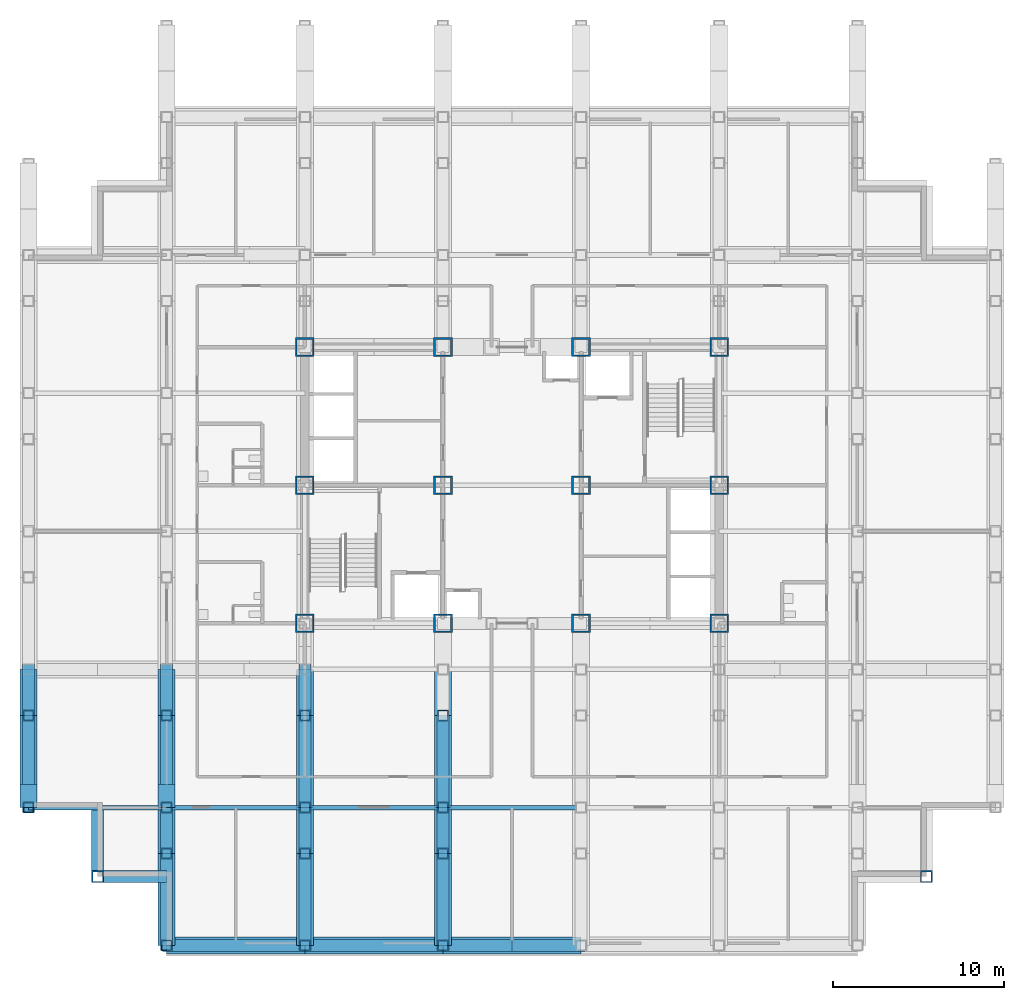
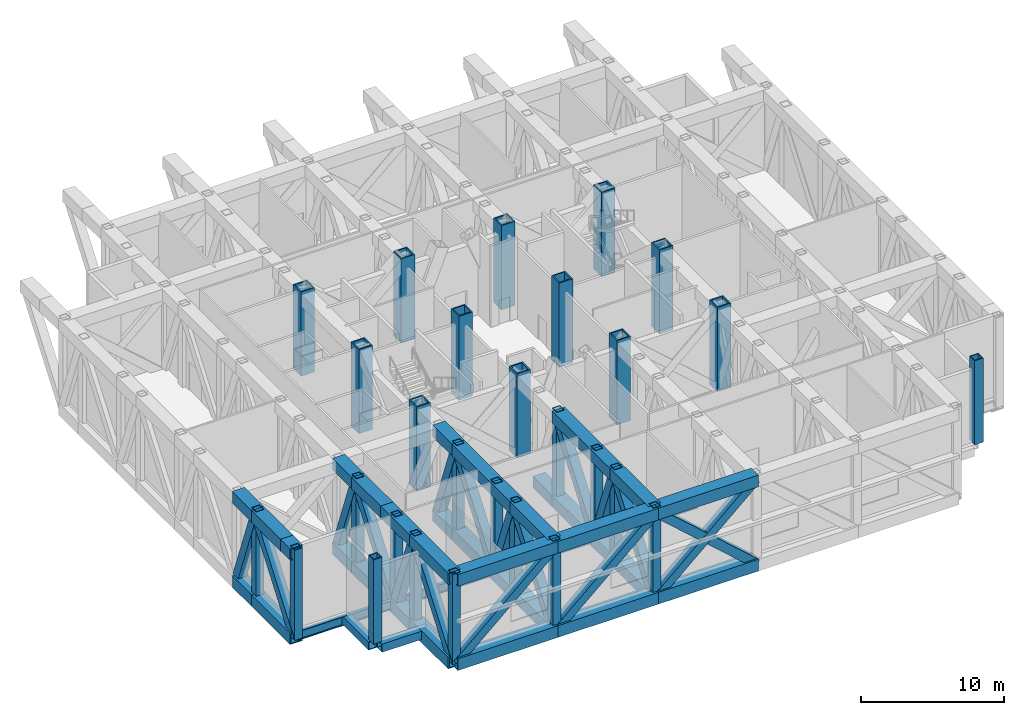
# One storey, part 1 of 13: 66 members, 14 columns, 6 beams.
"""IFC4 building model written with IfcOpenShell, lengths in metres."""

from ifc_helpers import new_model, si_unit, direction, frame, origin, origin_2d, place, context, subcontext, project, spatial, hollow_rectangle, i_section, extrude, material, material_profile, profile_set, type_object, element, save


model = new_model("IFC4")

# Units and contexts
model_context = context("Model", 3, precision=1e-05, world=origin(), true_north=direction((0.0, 1.0)))
body_context = subcontext(model_context, "Body", "Model", "MODEL_VIEW")
ifc_project = project(units=[si_unit("LENGTHUNIT", "METRE"), si_unit("AREAUNIT", "SQUARE_METRE"), si_unit("VOLUMEUNIT", "CUBIC_METRE"), si_unit("PLANEANGLEUNIT", "RADIAN"), si_unit("MASSUNIT", "GRAM", prefix="KILO")], contexts=[model_context])

# Site, building, storey
site_placement = place(None, origin())
site = spatial("IfcSite", under=ifc_project, at=site_placement, CompositionType="ELEMENT")
building_placement = place(site_placement, origin())
building = spatial("IfcBuilding", under=site, at=building_placement, Name="Kopane Lantern Tower", CompositionType="ELEMENT")
storey_placement = place(building_placement, frame((0.0, 0.0, 157.800048828125)))
storey = spatial("IfcBuildingStorey", under=building, at=storey_placement, Name="L41", CompositionType="ELEMENT", Elevation=157.800048828125)

# Columns
ifc_material_1 = material(Name="Steel S355JR", Category="steel")
ifc_material_profile_1 = material_profile(ifc_material_1, hollow_rectangle(XDim=1.10009765625, YDim=1.10009765625, WallThickness=0.10009765625, at=origin_2d()), Name="BOX 1100x1100x100")
ifc_profile_set_1 = profile_set([ifc_material_profile_1], Name="Steel S355JR")
column_type_1 = type_object("IfcColumnType", Name="COLUMN BOX 1100x1100x100", PredefinedType="COLUMN", material=ifc_profile_set_1)
for number, where, z_axis, x_axis, name in (
    (1, (16.199951171875, 24.300048828125, 0.0), (0.0, 0.0, 1.0), (1.0, 0.0, 0.0), "Column 4/E L41"),
    (2, (16.199951171875, 32.39990234375, 0.0), (0.0, 0.0, 1.0), (1.0, 0.0, 0.0), "Column 4/F L41"),
    (3, (16.199951171875, 40.5, 0.0), (0.0, 0.0, 1.0), (1.0, 0.0, 0.0), "Column 4/G L41"),
    (4, (24.300048828125, 24.300048828125, 0.0), (0.0, 0.0, 1.0), (1.0, 0.0, 0.0), "Column 5/E L41"),
    (5, (24.300048828125, 32.39990234375, 0.0), (0.0, 0.0, 1.0), (1.0, 0.0, 0.0), "Column 5/F L41"),
    (6, (24.300048828125, 40.5, 0.0), (0.0, 0.0, 1.0), (1.0, 0.0, 0.0), "Column 5/G L41"),
    (7, (32.39990234375, 24.300048828125, 0.0), (0.0, 0.0, 1.0), (1.0, 0.0, 0.0), "Column 6/E L41"),
    (8, (32.39990234375, 32.39990234375, 0.0), (0.0, 0.0, 1.0), (1.0, 0.0, 0.0), "Column 6/F L41"),
    (9, (32.39990234375, 40.5, 0.0), (0.0, 0.0, 1.0), (1.0, 0.0, 0.0), "Column 6/G L41"),
    (10, (40.5, 24.300048828125, 0.0), (0.0, 0.0, 1.0), (1.0, 0.0, 0.0), "Column 7/E L41"),
    (11, (40.5, 32.39990234375, 0.0), (0.0, 0.0, 1.0), (1.0, 0.0, 0.0), "Column 7/F L41"),
    (12, (40.5, 40.5, 0.0), (0.0, 0.0, 1.0), (1.0, 0.0, 0.0), "Column 7/G L41"),
):
    element("IfcColumn", number, at=place(storey_placement, frame(where, z_axis=z_axis, x_axis=x_axis)), inside=storey, type_object=column_type_1, Name=name, PredefinedType="COLUMN", context=body_context, shape_type="SweptSolid", body=[
        extrude(hollow_rectangle(XDim=1.10009765625, YDim=1.10009765625, WallThickness=0.10009765625, at=origin_2d()), origin(), (0.0, 0.0, 1.0), 7.199951171875),
    ])
ifc_material_2 = material(Name="Steel S355JR", Category="steel")
ifc_material_profile_2 = material_profile(ifc_material_2, hollow_rectangle(XDim=0.699951171875, YDim=0.699951171875, WallThickness=0.070068359375, at=origin_2d()), Name="BOX 700x700x70")
ifc_profile_set_2 = profile_set([ifc_material_profile_2], Name="Steel S355JR")
column_type_2 = type_object("IfcColumnType", Name="COLUMN BOX 700x700x70", PredefinedType="COLUMN", material=ifc_profile_set_2)
for number, where, z_axis, x_axis, name in (
    (13, (4.050048828125, 9.449951171875, 0.0), (0.0, 0.0, 1.0), (1.0, 0.0, 0.0), "Column 4.05/9.45 L41"),
    (14, (52.64990234375, 9.449951171875, 0.0), (0.0, 0.0, 1.0), (1.0, 0.0, 0.0), "Column 52.65/9.45 L41"),
):
    element("IfcColumn", number, at=place(storey_placement, frame(where, z_axis=z_axis, x_axis=x_axis)), inside=storey, type_object=column_type_2, Name=name, PredefinedType="COLUMN", context=body_context, shape_type="SweptSolid", body=[
        extrude(hollow_rectangle(XDim=0.699951171875, YDim=0.699951171875, WallThickness=0.070068359375, at=origin_2d()), origin(), (0.0, 0.0, 1.0), 7.199951171875),
    ])

# Beams
ifc_material_3 = material(Name="Steel S355JR", Category="steel")
ifc_material_profile_3 = material_profile(ifc_material_3, hollow_rectangle(XDim=0.699951171875, YDim=0.699951171875, WallThickness=0.06005859375, at=origin_2d()), Name="BOX 700x700x60")
ifc_profile_set_3 = profile_set([ifc_material_profile_3], Name="Steel S355JR")
beam_type_1 = type_object("IfcBeamType", Name="EDGE BEAM BOX 700x700x60", PredefinedType="BEAM", material=ifc_profile_set_3)
beam_1_placement = place(storey_placement, frame((4.050048828125, 9.800048828125, -0.60009765625), z_axis=(0.0, 1.0, 0.0), x_axis=(-1.0, 0.0, 0.0)))
element("IfcBeam", 15, at=beam_1_placement, inside=storey, type_object=beam_type_1, Name="Edge Beam L41", PredefinedType="BEAM", context=body_context, shape_type="SweptSolid", body=[
    extrude(hollow_rectangle(XDim=0.699951171875, YDim=0.699951171875, WallThickness=0.06005859375, at=origin_2d()), origin(), (0.0, 0.0, 1.0), 3.699951171875),
])
beam_2_placement = place(storey_placement, frame((4.39990234375, 9.449951171875, -0.60009765625), z_axis=(1.0, 0.0, 0.0), x_axis=(0.0, 1.0, 0.0)))
element("IfcBeam", 16, at=beam_2_placement, inside=storey, type_object=beam_type_1, Name="Edge Beam L41", PredefinedType="BEAM", context=body_context, shape_type="SweptSolid", body=[
    extrude(hollow_rectangle(XDim=0.699951171875, YDim=0.699951171875, WallThickness=0.06005859375, at=origin_2d()), origin(), (0.0, 0.0, 1.0), 3.7001953125),
])
ifc_material_4 = material(Name="Steel S355JR", Category="steel")
ifc_material_profile_4 = material_profile(ifc_material_4, i_section(OverallWidth=0.26806640625, OverallDepth=0.769775390625, WebThickness=0.015625, FlangeThickness=0.025390625, FilletRadius=0.0166015625, at=origin_2d()), Name="UB 762x267x197")
ifc_profile_set_4 = profile_set([ifc_material_profile_4], Name="Steel S355JR")
beam_type_2 = type_object("IfcBeamType", Name="GIRDER UB 762x267x197", PredefinedType="BEAM", material=ifc_profile_set_4)
beam_3_placement = place(storey_placement, frame((0.0, 13.5, -0.635009765625), z_axis=(1.0, 0.0, 0.0), x_axis=(0.0, 1.0, 0.0)))
element("IfcBeam", 17, at=beam_3_placement, inside=storey, type_object=beam_type_2, Name="Girder L41", PredefinedType="BEAM", context=body_context, shape_type="SweptSolid", body=[
    extrude(i_section(OverallWidth=0.26806640625, OverallDepth=0.769775390625, WebThickness=0.015625, FlangeThickness=0.025390625, FilletRadius=0.0166015625, at=origin_2d()), origin(), (0.0, 0.0, 1.0), 8.10009765625),
])
beam_4_placement = place(storey_placement, frame((8.10009765625, 13.5, -0.635009765625), z_axis=(1.0, 0.0, 0.0), x_axis=(0.0, 1.0, 0.0)))
element("IfcBeam", 18, at=beam_4_placement, inside=storey, type_object=beam_type_2, Name="Girder L41", PredefinedType="BEAM", context=body_context, shape_type="SweptSolid", body=[
    extrude(i_section(OverallWidth=0.26806640625, OverallDepth=0.769775390625, WebThickness=0.015625, FlangeThickness=0.025390625, FilletRadius=0.0166015625, at=origin_2d()), origin(), (0.0, 0.0, 1.0), 8.099853515625),
])
beam_5_placement = place(storey_placement, frame((16.199951171875, 13.5, -0.635009765625), z_axis=(1.0, 0.0, 0.0), x_axis=(0.0, 1.0, 0.0)))
element("IfcBeam", 19, at=beam_5_placement, inside=storey, type_object=beam_type_2, Name="Girder L41", PredefinedType="BEAM", context=body_context, shape_type="SweptSolid", body=[
    extrude(i_section(OverallWidth=0.26806640625, OverallDepth=0.769775390625, WebThickness=0.015625, FlangeThickness=0.025390625, FilletRadius=0.0166015625, at=origin_2d()), origin(), (0.0, 0.0, 1.0), 8.10009765625),
])
beam_6_placement = place(storey_placement, frame((24.300048828125, 13.5, -0.635009765625), z_axis=(1.0, 0.0, 0.0), x_axis=(0.0, 1.0, 0.0)))
element("IfcBeam", 20, at=beam_6_placement, inside=storey, type_object=beam_type_2, Name="Girder L41", PredefinedType="BEAM", context=body_context, shape_type="SweptSolid", body=[
    extrude(i_section(OverallWidth=0.26806640625, OverallDepth=0.769775390625, WebThickness=0.015625, FlangeThickness=0.025390625, FilletRadius=0.0166015625, at=origin_2d()), origin(), (0.0, 0.0, 1.0), 8.099853515625),
])

# Members
ifc_material_5 = material(Name="Steel S355JR", Category="steel")
ifc_material_profile_5 = material_profile(ifc_material_5, hollow_rectangle(XDim=1.0, YDim=1.0, WallThickness=0.090087890625, at=origin_2d()), Name="BOX 1000x1000x90")
ifc_profile_set_5 = profile_set([ifc_material_profile_5], Name="Steel S355JR")
member_type_1 = type_object("IfcMemberType", Name="TRUSS CHORD BOX 1000x1000x90", PredefinedType="CHORD", material=ifc_profile_set_5)
member_1_placement = place(storey_placement, frame((0.0, 13.5, -0.75), z_axis=(0.0, 1.0, 0.0), x_axis=(-1.0, 0.0, 0.0)))
element("IfcMember", 21, at=member_1_placement, inside=storey, type_object=member_type_1, Name="Transfer truss 2 L41 truss chord", PredefinedType="CHORD", context=body_context, shape_type="SweptSolid", body=[
    extrude(hollow_rectangle(XDim=1.0, YDim=1.0, WallThickness=0.090087890625, at=origin_2d()), origin(), (0.0, 0.0, 1.0), 5.39990234375),
])
member_2_placement = place(storey_placement, frame((0.0, 18.89990234375, -0.75), z_axis=(0.0, 1.0, 0.0), x_axis=(-1.0, 0.0, 0.0)))
element("IfcMember", 22, at=member_2_placement, inside=storey, type_object=member_type_1, Name="Transfer truss 2 L41 truss chord", PredefinedType="CHORD", context=body_context, shape_type="SweptSolid", body=[
    extrude(hollow_rectangle(XDim=1.0, YDim=1.0, WallThickness=0.090087890625, at=origin_2d()), origin(), (0.0, 0.0, 1.0), 2.7001953125),
])
member_3_placement = place(storey_placement, frame((0.0, 13.5, 6.449951171875), z_axis=(0.0, 1.0, 0.0), x_axis=(-1.0, 0.0, 0.0)))
element("IfcMember", 23, at=member_3_placement, inside=storey, type_object=member_type_1, Name="Transfer truss 2 L41 truss chord", PredefinedType="CHORD", context=body_context, shape_type="SweptSolid", body=[
    extrude(hollow_rectangle(XDim=1.0, YDim=1.0, WallThickness=0.090087890625, at=origin_2d()), origin(), (0.0, 0.0, 1.0), 1.35009765625),
])
member_4_placement = place(storey_placement, frame((0.0, 14.85009765625, 6.449951171875), z_axis=(0.0, 1.0, 0.0), x_axis=(-1.0, 0.0, 0.0)))
element("IfcMember", 24, at=member_4_placement, inside=storey, type_object=member_type_1, Name="Transfer truss 2 L41 truss chord", PredefinedType="CHORD", context=body_context, shape_type="SweptSolid", body=[
    extrude(hollow_rectangle(XDim=1.0, YDim=1.0, WallThickness=0.090087890625, at=origin_2d()), origin(), (0.0, 0.0, 1.0), 4.0498046875),
])
member_5_placement = place(storey_placement, frame((0.0, 18.89990234375, 6.449951171875), z_axis=(0.0, 1.0, 0.0), x_axis=(-1.0, 0.0, 0.0)))
element("IfcMember", 25, at=member_5_placement, inside=storey, type_object=member_type_1, Name="Transfer truss 2 L41 truss chord", PredefinedType="CHORD", context=body_context, shape_type="SweptSolid", body=[
    extrude(hollow_rectangle(XDim=1.0, YDim=1.0, WallThickness=0.090087890625, at=origin_2d()), origin(), (0.0, 0.0, 1.0), 2.7001953125),
])
member_6_placement = place(storey_placement, frame((8.10009765625, 5.39990234375, -0.75), z_axis=(0.0, 1.0, 0.0), x_axis=(-1.0, 0.0, 0.0)))
element("IfcMember", 26, at=member_6_placement, inside=storey, type_object=member_type_1, Name="Transfer truss 3 L41 truss chord", PredefinedType="CHORD", context=body_context, shape_type="SweptSolid", body=[
    extrude(hollow_rectangle(XDim=1.0, YDim=1.0, WallThickness=0.090087890625, at=origin_2d()), origin(), (0.0, 0.0, 1.0), 5.400146484375),
])
member_7_placement = place(storey_placement, frame((8.10009765625, 10.800048828125, -0.75), z_axis=(0.0, 1.0, 0.0), x_axis=(-1.0, 0.0, 0.0)))
element("IfcMember", 27, at=member_7_placement, inside=storey, type_object=member_type_1, Name="Transfer truss 3 L41 truss chord", PredefinedType="CHORD", context=body_context, shape_type="SweptSolid", body=[
    extrude(hollow_rectangle(XDim=1.0, YDim=1.0, WallThickness=0.090087890625, at=origin_2d()), origin(), (0.0, 0.0, 1.0), 2.699951171875),
])
member_8_placement = place(storey_placement, frame((8.10009765625, 13.5, -0.75), z_axis=(0.0, 1.0, 0.0), x_axis=(-1.0, 0.0, 0.0)))
element("IfcMember", 28, at=member_8_placement, inside=storey, type_object=member_type_1, Name="Transfer truss 3 L41 truss chord", PredefinedType="CHORD", context=body_context, shape_type="SweptSolid", body=[
    extrude(hollow_rectangle(XDim=1.0, YDim=1.0, WallThickness=0.090087890625, at=origin_2d()), origin(), (0.0, 0.0, 1.0), 5.39990234375),
])
member_9_placement = place(storey_placement, frame((8.10009765625, 18.89990234375, -0.75), z_axis=(0.0, 1.0, 0.0), x_axis=(-1.0, 0.0, 0.0)))
element("IfcMember", 29, at=member_9_placement, inside=storey, type_object=member_type_1, Name="Transfer truss 3 L41 truss chord", PredefinedType="CHORD", context=body_context, shape_type="SweptSolid", body=[
    extrude(hollow_rectangle(XDim=1.0, YDim=1.0, WallThickness=0.090087890625, at=origin_2d()), origin(), (0.0, 0.0, 1.0), 2.7001953125),
])
member_10_placement = place(storey_placement, frame((8.10009765625, 5.39990234375, 6.449951171875), z_axis=(0.0, 1.0, 0.0), x_axis=(-1.0, 0.0, 0.0)))
element("IfcMember", 30, at=member_10_placement, inside=storey, type_object=member_type_1, Name="Transfer truss 3 L41 truss chord", PredefinedType="CHORD", context=body_context, shape_type="SweptSolid", body=[
    extrude(hollow_rectangle(XDim=1.0, YDim=1.0, WallThickness=0.090087890625, at=origin_2d()), origin(), (0.0, 0.0, 1.0), 5.400146484375),
])
member_11_placement = place(storey_placement, frame((8.10009765625, 10.800048828125, 6.449951171875), z_axis=(0.0, 1.0, 0.0), x_axis=(-1.0, 0.0, 0.0)))
element("IfcMember", 31, at=member_11_placement, inside=storey, type_object=member_type_1, Name="Transfer truss 3 L41 truss chord", PredefinedType="CHORD", context=body_context, shape_type="SweptSolid", body=[
    extrude(hollow_rectangle(XDim=1.0, YDim=1.0, WallThickness=0.090087890625, at=origin_2d()), origin(), (0.0, 0.0, 1.0), 2.699951171875),
])
member_12_placement = place(storey_placement, frame((8.10009765625, 13.5, 6.449951171875), z_axis=(0.0, 1.0, 0.0), x_axis=(-1.0, 0.0, 0.0)))
element("IfcMember", 32, at=member_12_placement, inside=storey, type_object=member_type_1, Name="Transfer truss 3 L41 truss chord", PredefinedType="CHORD", context=body_context, shape_type="SweptSolid", body=[
    extrude(hollow_rectangle(XDim=1.0, YDim=1.0, WallThickness=0.090087890625, at=origin_2d()), origin(), (0.0, 0.0, 1.0), 1.35009765625),
])
member_13_placement = place(storey_placement, frame((8.10009765625, 14.85009765625, 6.449951171875), z_axis=(0.0, 1.0, 0.0), x_axis=(-1.0, 0.0, 0.0)))
element("IfcMember", 33, at=member_13_placement, inside=storey, type_object=member_type_1, Name="Transfer truss 3 L41 truss chord", PredefinedType="CHORD", context=body_context, shape_type="SweptSolid", body=[
    extrude(hollow_rectangle(XDim=1.0, YDim=1.0, WallThickness=0.090087890625, at=origin_2d()), origin(), (0.0, 0.0, 1.0), 4.0498046875),
])
member_14_placement = place(storey_placement, frame((8.10009765625, 18.89990234375, 6.449951171875), z_axis=(0.0, 1.0, 0.0), x_axis=(-1.0, 0.0, 0.0)))
element("IfcMember", 34, at=member_14_placement, inside=storey, type_object=member_type_1, Name="Transfer truss 3 L41 truss chord", PredefinedType="CHORD", context=body_context, shape_type="SweptSolid", body=[
    extrude(hollow_rectangle(XDim=1.0, YDim=1.0, WallThickness=0.090087890625, at=origin_2d()), origin(), (0.0, 0.0, 1.0), 2.7001953125),
])
member_15_placement = place(storey_placement, frame((16.199951171875, 5.39990234375, -0.75), z_axis=(0.0, 1.0, 0.0), x_axis=(-1.0, 0.0, 0.0)))
element("IfcMember", 35, at=member_15_placement, inside=storey, type_object=member_type_1, Name="Transfer truss 4 L41 truss chord", PredefinedType="CHORD", context=body_context, shape_type="SweptSolid", body=[
    extrude(hollow_rectangle(XDim=1.0, YDim=1.0, WallThickness=0.090087890625, at=origin_2d()), origin(), (0.0, 0.0, 1.0), 5.400146484375),
])
member_16_placement = place(storey_placement, frame((16.199951171875, 10.800048828125, -0.75), z_axis=(0.0, 1.0, 0.0), x_axis=(-1.0, 0.0, 0.0)))
element("IfcMember", 36, at=member_16_placement, inside=storey, type_object=member_type_1, Name="Transfer truss 4 L41 truss chord", PredefinedType="CHORD", context=body_context, shape_type="SweptSolid", body=[
    extrude(hollow_rectangle(XDim=1.0, YDim=1.0, WallThickness=0.090087890625, at=origin_2d()), origin(), (0.0, 0.0, 1.0), 2.699951171875),
])
member_17_placement = place(storey_placement, frame((16.199951171875, 13.5, -0.75), z_axis=(0.0, 1.0, 0.0), x_axis=(-1.0, 0.0, 0.0)))
element("IfcMember", 37, at=member_17_placement, inside=storey, type_object=member_type_1, Name="Transfer truss 4 L41 truss chord", PredefinedType="CHORD", context=body_context, shape_type="SweptSolid", body=[
    extrude(hollow_rectangle(XDim=1.0, YDim=1.0, WallThickness=0.090087890625, at=origin_2d()), origin(), (0.0, 0.0, 1.0), 5.39990234375),
])
member_18_placement = place(storey_placement, frame((16.199951171875, 18.89990234375, -0.75), z_axis=(0.0, 1.0, 0.0), x_axis=(-1.0, 0.0, 0.0)))
element("IfcMember", 38, at=member_18_placement, inside=storey, type_object=member_type_1, Name="Transfer truss 4 L41 truss chord", PredefinedType="CHORD", context=body_context, shape_type="SweptSolid", body=[
    extrude(hollow_rectangle(XDim=1.0, YDim=1.0, WallThickness=0.090087890625, at=origin_2d()), origin(), (0.0, 0.0, 1.0), 2.7001953125),
])
member_19_placement = place(storey_placement, frame((16.199951171875, 5.39990234375, 6.449951171875), z_axis=(0.0, 1.0, 0.0), x_axis=(-1.0, 0.0, 0.0)))
element("IfcMember", 39, at=member_19_placement, inside=storey, type_object=member_type_1, Name="Transfer truss 4 L41 truss chord", PredefinedType="CHORD", context=body_context, shape_type="SweptSolid", body=[
    extrude(hollow_rectangle(XDim=1.0, YDim=1.0, WallThickness=0.090087890625, at=origin_2d()), origin(), (0.0, 0.0, 1.0), 5.400146484375),
])
member_20_placement = place(storey_placement, frame((16.199951171875, 10.800048828125, 6.449951171875), z_axis=(0.0, 1.0, 0.0), x_axis=(-1.0, 0.0, 0.0)))
element("IfcMember", 40, at=member_20_placement, inside=storey, type_object=member_type_1, Name="Transfer truss 4 L41 truss chord", PredefinedType="CHORD", context=body_context, shape_type="SweptSolid", body=[
    extrude(hollow_rectangle(XDim=1.0, YDim=1.0, WallThickness=0.090087890625, at=origin_2d()), origin(), (0.0, 0.0, 1.0), 2.699951171875),
])
member_21_placement = place(storey_placement, frame((16.199951171875, 13.5, 6.449951171875), z_axis=(0.0, 1.0, 0.0), x_axis=(-1.0, 0.0, 0.0)))
element("IfcMember", 41, at=member_21_placement, inside=storey, type_object=member_type_1, Name="Transfer truss 4 L41 truss chord", PredefinedType="CHORD", context=body_context, shape_type="SweptSolid", body=[
    extrude(hollow_rectangle(XDim=1.0, YDim=1.0, WallThickness=0.090087890625, at=origin_2d()), origin(), (0.0, 0.0, 1.0), 5.39990234375),
])
member_22_placement = place(storey_placement, frame((16.199951171875, 18.89990234375, 6.449951171875), z_axis=(0.0, 1.0, 0.0), x_axis=(-1.0, 0.0, 0.0)))
element("IfcMember", 42, at=member_22_placement, inside=storey, type_object=member_type_1, Name="Transfer truss 4 L41 truss chord", PredefinedType="CHORD", context=body_context, shape_type="SweptSolid", body=[
    extrude(hollow_rectangle(XDim=1.0, YDim=1.0, WallThickness=0.090087890625, at=origin_2d()), origin(), (0.0, 0.0, 1.0), 2.7001953125),
])
member_23_placement = place(storey_placement, frame((24.300048828125, 5.39990234375, -0.75), z_axis=(0.0, 1.0, 0.0), x_axis=(-1.0, 0.0, 0.0)))
element("IfcMember", 43, at=member_23_placement, inside=storey, type_object=member_type_1, Name="Transfer truss 5 L41 truss chord", PredefinedType="CHORD", context=body_context, shape_type="SweptSolid", body=[
    extrude(hollow_rectangle(XDim=1.0, YDim=1.0, WallThickness=0.090087890625, at=origin_2d()), origin(), (0.0, 0.0, 1.0), 5.400146484375),
])
member_24_placement = place(storey_placement, frame((24.300048828125, 10.800048828125, -0.75), z_axis=(0.0, 1.0, 0.0), x_axis=(-1.0, 0.0, 0.0)))
element("IfcMember", 44, at=member_24_placement, inside=storey, type_object=member_type_1, Name="Transfer truss 5 L41 truss chord", PredefinedType="CHORD", context=body_context, shape_type="SweptSolid", body=[
    extrude(hollow_rectangle(XDim=1.0, YDim=1.0, WallThickness=0.090087890625, at=origin_2d()), origin(), (0.0, 0.0, 1.0), 2.699951171875),
])
member_25_placement = place(storey_placement, frame((24.300048828125, 13.5, -0.75), z_axis=(0.0, 1.0, 0.0), x_axis=(-1.0, 0.0, 0.0)))
element("IfcMember", 45, at=member_25_placement, inside=storey, type_object=member_type_1, Name="Transfer truss 5 L41 truss chord", PredefinedType="CHORD", context=body_context, shape_type="SweptSolid", body=[
    extrude(hollow_rectangle(XDim=1.0, YDim=1.0, WallThickness=0.090087890625, at=origin_2d()), origin(), (0.0, 0.0, 1.0), 5.39990234375),
])
member_26_placement = place(storey_placement, frame((24.300048828125, 18.89990234375, -0.75), z_axis=(0.0, 1.0, 0.0), x_axis=(-1.0, 0.0, 0.0)))
element("IfcMember", 46, at=member_26_placement, inside=storey, type_object=member_type_1, Name="Transfer truss 5 L41 truss chord", PredefinedType="CHORD", context=body_context, shape_type="SweptSolid", body=[
    extrude(hollow_rectangle(XDim=1.0, YDim=1.0, WallThickness=0.090087890625, at=origin_2d()), origin(), (0.0, 0.0, 1.0), 2.7001953125),
])
member_27_placement = place(storey_placement, frame((24.300048828125, 5.39990234375, 6.449951171875), z_axis=(0.0, 1.0, 0.0), x_axis=(-1.0, 0.0, 0.0)))
element("IfcMember", 47, at=member_27_placement, inside=storey, type_object=member_type_1, Name="Transfer truss 5 L41 truss chord", PredefinedType="CHORD", context=body_context, shape_type="SweptSolid", body=[
    extrude(hollow_rectangle(XDim=1.0, YDim=1.0, WallThickness=0.090087890625, at=origin_2d()), origin(), (0.0, 0.0, 1.0), 5.400146484375),
])
member_28_placement = place(storey_placement, frame((24.300048828125, 10.800048828125, 6.449951171875), z_axis=(0.0, 1.0, 0.0), x_axis=(-1.0, 0.0, 0.0)))
element("IfcMember", 48, at=member_28_placement, inside=storey, type_object=member_type_1, Name="Transfer truss 5 L41 truss chord", PredefinedType="CHORD", context=body_context, shape_type="SweptSolid", body=[
    extrude(hollow_rectangle(XDim=1.0, YDim=1.0, WallThickness=0.090087890625, at=origin_2d()), origin(), (0.0, 0.0, 1.0), 2.699951171875),
])
member_29_placement = place(storey_placement, frame((24.300048828125, 13.5, 6.449951171875), z_axis=(0.0, 1.0, 0.0), x_axis=(-1.0, 0.0, 0.0)))
element("IfcMember", 49, at=member_29_placement, inside=storey, type_object=member_type_1, Name="Transfer truss 5 L41 truss chord", PredefinedType="CHORD", context=body_context, shape_type="SweptSolid", body=[
    extrude(hollow_rectangle(XDim=1.0, YDim=1.0, WallThickness=0.090087890625, at=origin_2d()), origin(), (0.0, 0.0, 1.0), 5.39990234375),
])
for number, where, z_axis, x_axis, name in (
    (50, (8.10009765625, 5.39990234375, -0.75), (1.0, 0.0, 0.0), (0.0, 1.0, 0.0), "Belt truss S L41 truss chord"),
    (51, (8.10009765625, 5.39990234375, 6.449951171875), (1.0, 0.0, 0.0), (0.0, 1.0, 0.0), "Belt truss S L41 truss chord"),
):
    element("IfcMember", number, at=place(storey_placement, frame(where, z_axis=z_axis, x_axis=x_axis)), inside=storey, type_object=member_type_1, Name=name, PredefinedType="CHORD", context=body_context, shape_type="SweptSolid", body=[
        extrude(hollow_rectangle(XDim=1.0, YDim=1.0, WallThickness=0.090087890625, at=origin_2d()), origin(), (0.0, 0.0, 1.0), 8.099853515625),
    ])
for number, where, z_axis, x_axis, name in (
    (52, (16.199951171875, 5.39990234375, -0.75), (1.0, 0.0, 0.0), (0.0, 1.0, 0.0), "Belt truss S L41 truss chord"),
    (53, (16.199951171875, 5.39990234375, 6.449951171875), (1.0, 0.0, 0.0), (0.0, 1.0, 0.0), "Belt truss S L41 truss chord"),
):
    element("IfcMember", number, at=place(storey_placement, frame(where, z_axis=z_axis, x_axis=x_axis)), inside=storey, type_object=member_type_1, Name=name, PredefinedType="CHORD", context=body_context, shape_type="SweptSolid", body=[
        extrude(hollow_rectangle(XDim=1.0, YDim=1.0, WallThickness=0.090087890625, at=origin_2d()), origin(), (0.0, 0.0, 1.0), 8.10009765625),
    ])
for number, where, z_axis, x_axis, name in (
    (54, (24.300048828125, 5.39990234375, -0.75), (1.0, 0.0, 0.0), (0.0, 1.0, 0.0), "Belt truss S L41 truss chord"),
    (55, (24.300048828125, 5.39990234375, 6.449951171875), (1.0, 0.0, 0.0), (0.0, 1.0, 0.0), "Belt truss S L41 truss chord"),
):
    element("IfcMember", number, at=place(storey_placement, frame(where, z_axis=z_axis, x_axis=x_axis)), inside=storey, type_object=member_type_1, Name=name, PredefinedType="CHORD", context=body_context, shape_type="SweptSolid", body=[
        extrude(hollow_rectangle(XDim=1.0, YDim=1.0, WallThickness=0.090087890625, at=origin_2d()), origin(), (0.0, 0.0, 1.0), 8.099853515625),
    ])
ifc_material_6 = material(Name="Steel S355JR", Category="steel")
ifc_material_profile_6 = material_profile(ifc_material_6, hollow_rectangle(XDim=0.699951171875, YDim=0.699951171875, WallThickness=0.070068359375, at=origin_2d()), Name="BOX 700x700x70")
ifc_profile_set_6 = profile_set([ifc_material_profile_6], Name="Steel S355JR")
member_type_2 = type_object("IfcMemberType", Name="TRUSS DIAGONAL BOX 700x700x70", PredefinedType="BRACE", material=ifc_profile_set_6)
member_30_placement = place(storey_placement, frame((0.0, 13.5, -0.75), z_axis=(0.0, 0.599995659666, 0.800003255232), x_axis=(-1.0, 0.0, 0.0)))
element("IfcMember", 56, at=member_30_placement, inside=storey, type_object=member_type_2, Name="Transfer truss 2 L41 truss diagonal", PredefinedType="BRACE", context=body_context, shape_type="SweptSolid", body=[
    extrude(hollow_rectangle(XDim=0.699951171875, YDim=0.699951171875, WallThickness=0.070068359375, at=origin_2d()), origin(), (0.0, 0.0, 1.0), 9.0),
])
member_31_placement = place(storey_placement, frame((0.0, 21.60009765625, -0.75), z_axis=(0.0, -0.351147797134, 0.936320043878), x_axis=(1.0, 0.0, 0.0)))
element("IfcMember", 57, at=member_31_placement, inside=storey, type_object=member_type_2, Name="Transfer truss 2 L41 truss diagonal", PredefinedType="BRACE", context=body_context, shape_type="SweptSolid", body=[
    extrude(hollow_rectangle(XDim=0.699951171875, YDim=0.699951171875, WallThickness=0.070068359375, at=origin_2d()), origin(), (0.0, 0.0, 1.0), 7.689697265625),
])
member_32_placement = place(storey_placement, frame((8.10009765625, 5.39990234375, -0.75), z_axis=(0.0, 0.600013020683, 0.799990234322), x_axis=(-1.0, 0.0, 0.0)))
element("IfcMember", 58, at=member_32_placement, inside=storey, type_object=member_type_2, Name="Transfer truss 3 L41 truss diagonal", PredefinedType="BRACE", context=body_context, shape_type="SweptSolid", body=[
    extrude(hollow_rectangle(XDim=0.699951171875, YDim=0.699951171875, WallThickness=0.070068359375, at=origin_2d()), origin(), (0.0, 0.0, 1.0), 9.0),
])
member_33_placement = place(storey_placement, frame((8.10009765625, 13.5, -0.75), z_axis=(0.0, -0.351119962166, 0.936330482345), x_axis=(1.0, 0.0, 0.0)))
element("IfcMember", 59, at=member_33_placement, inside=storey, type_object=member_type_2, Name="Transfer truss 3 L41 truss diagonal", PredefinedType="BRACE", context=body_context, shape_type="SweptSolid", body=[
    extrude(hollow_rectangle(XDim=0.699951171875, YDim=0.699951171875, WallThickness=0.070068359375, at=origin_2d()), origin(), (0.0, 0.0, 1.0), 7.689453125),
])
member_34_placement = place(storey_placement, frame((8.10009765625, 13.5, -0.75), z_axis=(0.0, 0.599995659666, 0.800003255232), x_axis=(-1.0, 0.0, 0.0)))
element("IfcMember", 60, at=member_34_placement, inside=storey, type_object=member_type_2, Name="Transfer truss 3 L41 truss diagonal", PredefinedType="BRACE", context=body_context, shape_type="SweptSolid", body=[
    extrude(hollow_rectangle(XDim=0.699951171875, YDim=0.699951171875, WallThickness=0.070068359375, at=origin_2d()), origin(), (0.0, 0.0, 1.0), 9.0),
])
member_35_placement = place(storey_placement, frame((8.10009765625, 21.60009765625, -0.75), z_axis=(0.0, -0.351147797134, 0.936320043878), x_axis=(1.0, 0.0, 0.0)))
element("IfcMember", 61, at=member_35_placement, inside=storey, type_object=member_type_2, Name="Transfer truss 3 L41 truss diagonal", PredefinedType="BRACE", context=body_context, shape_type="SweptSolid", body=[
    extrude(hollow_rectangle(XDim=0.699951171875, YDim=0.699951171875, WallThickness=0.070068359375, at=origin_2d()), origin(), (0.0, 0.0, 1.0), 7.689697265625),
])
member_36_placement = place(storey_placement, frame((16.199951171875, 5.39990234375, -0.75), z_axis=(0.0, 0.600013020683, 0.799990234322), x_axis=(-1.0, 0.0, 0.0)))
element("IfcMember", 62, at=member_36_placement, inside=storey, type_object=member_type_2, Name="Transfer truss 4 L41 truss diagonal", PredefinedType="BRACE", context=body_context, shape_type="SweptSolid", body=[
    extrude(hollow_rectangle(XDim=0.699951171875, YDim=0.699951171875, WallThickness=0.070068359375, at=origin_2d()), origin(), (0.0, 0.0, 1.0), 9.0),
])
member_37_placement = place(storey_placement, frame((16.199951171875, 13.5, -0.75), z_axis=(0.0, -0.351119962166, 0.936330482345), x_axis=(1.0, 0.0, 0.0)))
element("IfcMember", 63, at=member_37_placement, inside=storey, type_object=member_type_2, Name="Transfer truss 4 L41 truss diagonal", PredefinedType="BRACE", context=body_context, shape_type="SweptSolid", body=[
    extrude(hollow_rectangle(XDim=0.699951171875, YDim=0.699951171875, WallThickness=0.070068359375, at=origin_2d()), origin(), (0.0, 0.0, 1.0), 7.689453125),
])
member_38_placement = place(storey_placement, frame((16.199951171875, 13.5, -0.75), z_axis=(0.0, 0.599995659666, 0.800003255232), x_axis=(-1.0, 0.0, 0.0)))
element("IfcMember", 64, at=member_38_placement, inside=storey, type_object=member_type_2, Name="Transfer truss 4 L41 truss diagonal", PredefinedType="BRACE", context=body_context, shape_type="SweptSolid", body=[
    extrude(hollow_rectangle(XDim=0.699951171875, YDim=0.699951171875, WallThickness=0.070068359375, at=origin_2d()), origin(), (0.0, 0.0, 1.0), 9.0),
])
member_39_placement = place(storey_placement, frame((16.199951171875, 21.60009765625, -0.75), z_axis=(0.0, -0.351147797134, 0.936320043878), x_axis=(1.0, 0.0, 0.0)))
element("IfcMember", 65, at=member_39_placement, inside=storey, type_object=member_type_2, Name="Transfer truss 4 L41 truss diagonal", PredefinedType="BRACE", context=body_context, shape_type="SweptSolid", body=[
    extrude(hollow_rectangle(XDim=0.699951171875, YDim=0.699951171875, WallThickness=0.070068359375, at=origin_2d()), origin(), (0.0, 0.0, 1.0), 7.689697265625),
])
member_40_placement = place(storey_placement, frame((24.300048828125, 5.39990234375, -0.75), z_axis=(0.0, 0.600013020683, 0.799990234322), x_axis=(-1.0, 0.0, 0.0)))
element("IfcMember", 66, at=member_40_placement, inside=storey, type_object=member_type_2, Name="Transfer truss 5 L41 truss diagonal", PredefinedType="BRACE", context=body_context, shape_type="SweptSolid", body=[
    extrude(hollow_rectangle(XDim=0.699951171875, YDim=0.699951171875, WallThickness=0.070068359375, at=origin_2d()), origin(), (0.0, 0.0, 1.0), 9.0),
])
member_41_placement = place(storey_placement, frame((24.300048828125, 13.5, -0.75), z_axis=(0.0, -0.351119962166, 0.936330482345), x_axis=(1.0, 0.0, 0.0)))
element("IfcMember", 67, at=member_41_placement, inside=storey, type_object=member_type_2, Name="Transfer truss 5 L41 truss diagonal", PredefinedType="BRACE", context=body_context, shape_type="SweptSolid", body=[
    extrude(hollow_rectangle(XDim=0.699951171875, YDim=0.699951171875, WallThickness=0.070068359375, at=origin_2d()), origin(), (0.0, 0.0, 1.0), 7.689453125),
])
member_42_placement = place(storey_placement, frame((24.300048828125, 13.5, -0.75), z_axis=(0.0, 0.599995659666, 0.800003255232), x_axis=(-1.0, 0.0, 0.0)))
element("IfcMember", 68, at=member_42_placement, inside=storey, type_object=member_type_2, Name="Transfer truss 5 L41 truss diagonal", PredefinedType="BRACE", context=body_context, shape_type="SweptSolid", body=[
    extrude(hollow_rectangle(XDim=0.699951171875, YDim=0.699951171875, WallThickness=0.070068359375, at=origin_2d()), origin(), (0.0, 0.0, 1.0), 9.0),
])
for number, where, z_axis, x_axis, name in (
    (69, (8.10009765625, 5.39990234375, -0.75), (0.747405589929, 0.0, 0.664368033655), (0.0, 1.0, 0.0), "Belt truss S L41 truss diagonal"),
    (70, (16.199951171875, 5.39990234375, -0.75), (0.747415533118, 0.0, 0.664356847525), (0.0, 1.0, 0.0), "Belt truss S L41 truss diagonal"),
    (71, (24.300048828125, 5.39990234375, -0.75), (0.747405589929, 0.0, 0.664368033655), (0.0, 1.0, 0.0), "Belt truss S L41 truss diagonal"),
    (72, (32.39990234375, 5.39990234375, -0.75), (-0.747405589929, 0.0, 0.664368033655), (0.0, -1.0, 0.0), "Belt truss S L41 truss diagonal"),
):
    element("IfcMember", number, at=place(storey_placement, frame(where, z_axis=z_axis, x_axis=x_axis)), inside=storey, type_object=member_type_2, Name=name, PredefinedType="BRACE", context=body_context, shape_type="SweptSolid", body=[
        extrude(hollow_rectangle(XDim=0.699951171875, YDim=0.699951171875, WallThickness=0.070068359375, at=origin_2d()), origin(), (0.0, 0.0, 1.0), 10.83740234375),
    ])
ifc_material_7 = material(Name="Steel S355JR", Category="steel")
ifc_material_profile_7 = material_profile(ifc_material_7, hollow_rectangle(XDim=0.64990234375, YDim=0.64990234375, WallThickness=0.06005859375, at=origin_2d()), Name="BOX 650x650x60")
ifc_profile_set_7 = profile_set([ifc_material_profile_7], Name="Steel S355JR")
member_type_3 = type_object("IfcMemberType", Name="TRUSS POST BOX 650x650x60", PredefinedType="POST", material=ifc_profile_set_7)
for number, where, z_axis, x_axis, name in (
    (73, (0.0, 13.5, -0.75), (0.0, 0.0, 1.0), (1.0, 0.0, 0.0), "Transfer truss 2 L41 truss post"),
    (74, (0.0, 18.89990234375, -0.75), (0.0, 0.0, 1.0), (1.0, 0.0, 0.0), "Transfer truss 2 L41 truss post"),
    (75, (8.10009765625, 5.39990234375, -0.75), (0.0, 0.0, 1.0), (1.0, 0.0, 0.0), "Transfer truss 3 L41 truss post"),
    (76, (8.10009765625, 10.800048828125, -0.75), (0.0, 0.0, 1.0), (1.0, 0.0, 0.0), "Transfer truss 3 L41 truss post"),
    (77, (8.10009765625, 13.5, -0.75), (0.0, 0.0, 1.0), (1.0, 0.0, 0.0), "Transfer truss 3 L41 truss post"),
    (78, (8.10009765625, 18.89990234375, -0.75), (0.0, 0.0, 1.0), (1.0, 0.0, 0.0), "Transfer truss 3 L41 truss post"),
    (79, (16.199951171875, 5.39990234375, -0.75), (0.0, 0.0, 1.0), (1.0, 0.0, 0.0), "Transfer truss 4 L41 truss post"),
    (80, (16.199951171875, 10.800048828125, -0.75), (0.0, 0.0, 1.0), (1.0, 0.0, 0.0), "Transfer truss 4 L41 truss post"),
    (81, (16.199951171875, 13.5, -0.75), (0.0, 0.0, 1.0), (1.0, 0.0, 0.0), "Transfer truss 4 L41 truss post"),
    (82, (16.199951171875, 18.89990234375, -0.75), (0.0, 0.0, 1.0), (1.0, 0.0, 0.0), "Transfer truss 4 L41 truss post"),
    (83, (24.300048828125, 5.39990234375, -0.75), (0.0, 0.0, 1.0), (1.0, 0.0, 0.0), "Transfer truss 5 L41 truss post"),
    (84, (24.300048828125, 10.800048828125, -0.75), (0.0, 0.0, 1.0), (1.0, 0.0, 0.0), "Transfer truss 5 L41 truss post"),
    (85, (24.300048828125, 13.5, -0.75), (0.0, 0.0, 1.0), (1.0, 0.0, 0.0), "Transfer truss 5 L41 truss post"),
    (86, (24.300048828125, 18.89990234375, -0.75), (0.0, 0.0, 1.0), (1.0, 0.0, 0.0), "Transfer truss 5 L41 truss post"),
):
    element("IfcMember", number, at=place(storey_placement, frame(where, z_axis=z_axis, x_axis=x_axis)), inside=storey, type_object=member_type_3, Name=name, PredefinedType="POST", context=body_context, shape_type="SweptSolid", body=[
        extrude(hollow_rectangle(XDim=0.64990234375, YDim=0.64990234375, WallThickness=0.06005859375, at=origin_2d()), origin(), (0.0, 0.0, 1.0), 7.699951171875),
    ])

save(model, "model.ifc")
